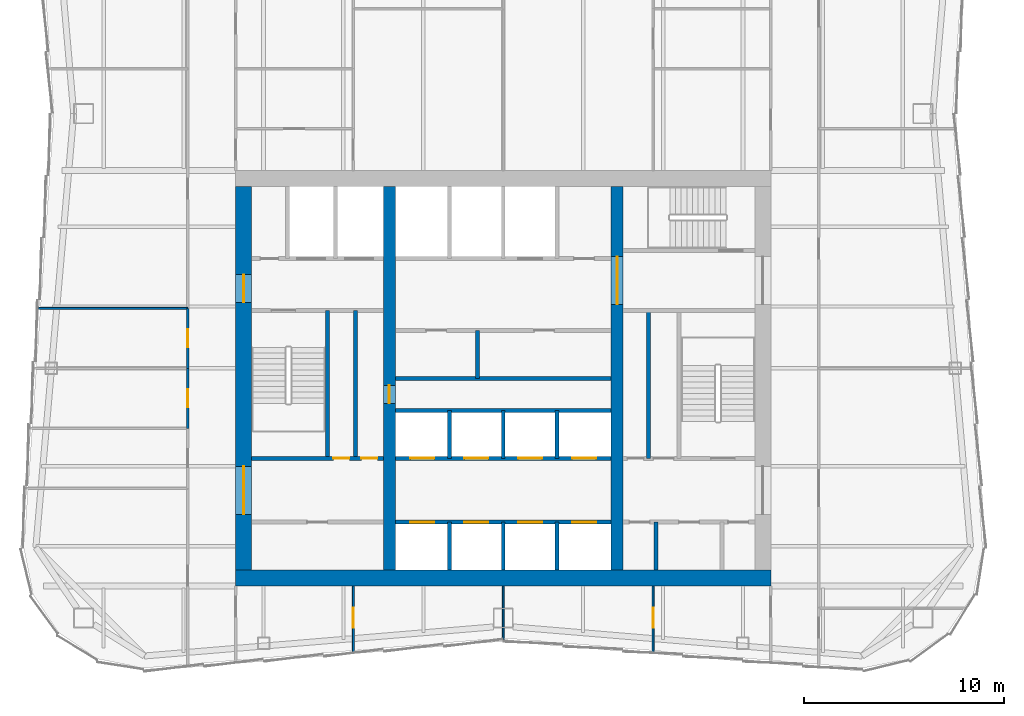
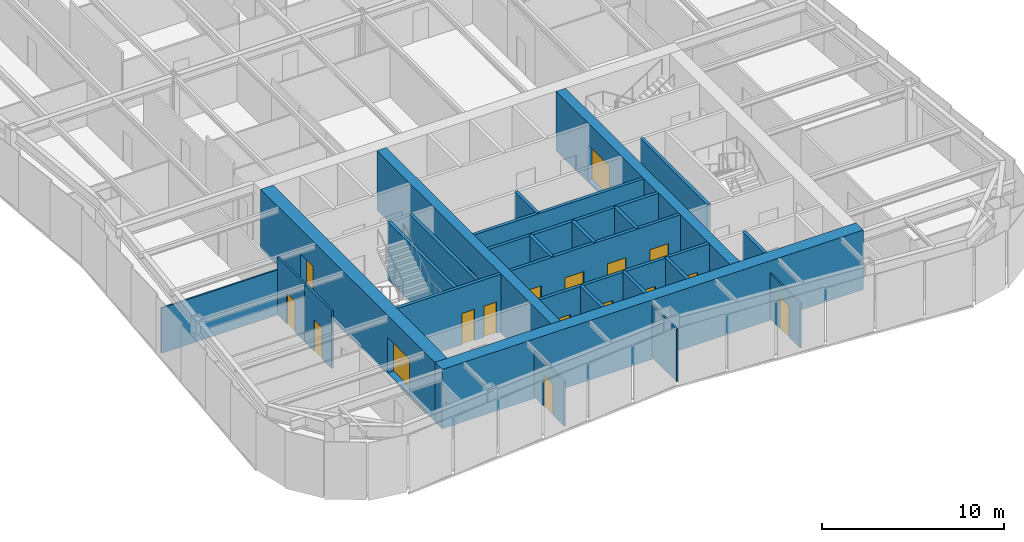
# One storey, part 6 of 11: 26 walls, 18 doors, 18 openings.
"""IFC4 building model written with IfcOpenShell, lengths in metres."""

from ifc_helpers import new_model, si_unit, direction, frame, frame_2d, origin, place, context, subcontext, project, spatial, rectangle, extrude, material, layer, layer_set, type_object, element, fill, save


model = new_model("IFC4")

# Units and contexts
model_context = context("Model", 3, precision=1e-05, world=origin(), true_north=direction((0.0, 1.0)))
body_context = subcontext(model_context, "Body", "Model", "MODEL_VIEW")
ifc_project = project(units=[si_unit("LENGTHUNIT", "METRE"), si_unit("AREAUNIT", "SQUARE_METRE"), si_unit("VOLUMEUNIT", "CUBIC_METRE"), si_unit("PLANEANGLEUNIT", "RADIAN"), si_unit("MASSUNIT", "GRAM", prefix="KILO")], contexts=[model_context])

# Site, building, storey
site_placement = place(None, origin())
site = spatial("IfcSite", under=ifc_project, at=site_placement, CompositionType="ELEMENT")
building_placement = place(site_placement, origin())
building = spatial("IfcBuilding", under=site, at=building_placement, Name="Verdant Reach Tower", CompositionType="ELEMENT")
storey_placement = place(building_placement, frame((0.0, 0.0, 254.0)))
storey = spatial("IfcBuildingStorey", under=building, at=storey_placement, Name="L58", CompositionType="ELEMENT", Elevation=254.0)

# Walls
ifc_material_1 = material(Name="Gypsum board on steel studs", Category="steel")
ifc_layer_1 = layer(ifc_material_1, 0.199951171875)
ifc_layer_set_1 = layer_set([ifc_layer_1], Name="CO-WALL-ROOM")
wall_type_1 = type_object("IfcWallType", Name="CO-WALL-ROOM", PredefinedType="PARTITIONING", material=ifc_layer_set_1)
wall_1_placement = place(storey_placement, frame((-5.39990234375, 28.0, 0.0), z_axis=(0.0, 0.0, 1.0), x_axis=(1.0, 0.0, 0.0)))
element("IfcWall", 1, at=wall_1_placement, inside=storey, type_object=wall_type_1, Name="Core partition, L58", PredefinedType="PARTITIONING", context=body_context, shape_type="SweptSolid", body=[
    extrude(rectangle(XDim=10.7998046875, YDim=0.199951171875, at=frame_2d((5.39990234375, 0.0))), origin(), (0.0, 0.0, 1.0), 3.8701171875),
])
wall_2_placement = place(storey_placement, frame((-7.39990234375, 24.0, 0.0), z_axis=(0.0, 0.0, 1.0), x_axis=(0.0, 1.0, 0.0)))
element("IfcWall", 2, at=wall_2_placement, inside=storey, type_object=wall_type_1, Name="Core partition, L58", PredefinedType="PARTITIONING", context=body_context, shape_type="SweptSolid", body=[
    extrude(rectangle(XDim=7.39990234375, YDim=0.199951171875, at=frame_2d((3.699951171875, 0.0))), origin(), (0.0, 0.0, 1.0), 3.8701171875),
])
wall_3_placement = place(storey_placement, frame((-1.2958984375, 28.0, 0.0), z_axis=(0.0, 0.0, 1.0), x_axis=(0.0, 1.0, 0.0)))
element("IfcWall", 3, at=wall_3_placement, inside=storey, type_object=wall_type_1, Name="Core partition, L58", PredefinedType="PARTITIONING", context=body_context, shape_type="SweptSolid", body=[
    extrude(rectangle(XDim=2.39990234375, YDim=0.199951171875, at=frame_2d((1.199951171875, 0.0))), origin(), (0.0, 0.0, 1.0), 3.8701171875),
])
wall_4_placement = place(storey_placement, frame((7.260009765625, 24.0, 0.0), z_axis=(0.0, 0.0, 1.0), x_axis=(0.0, 1.0, 0.0)))
element("IfcWall", 4, at=wall_4_placement, inside=storey, type_object=wall_type_1, Name="Core partition, L58", PredefinedType="PARTITIONING", context=body_context, shape_type="SweptSolid", body=[
    extrude(rectangle(XDim=7.39990234375, YDim=0.199951171875, at=frame_2d((3.699951171875, 0.0))), origin(), (0.0, 0.0, 1.0), 3.8701171875),
])
wall_5_placement = place(storey_placement, frame((7.64990234375, 18.39990234375, 0.0), z_axis=(0.0, 0.0, 1.0), x_axis=(0.0, 1.0, 0.0)))
element("IfcWall", 5, at=wall_5_placement, inside=storey, type_object=wall_type_1, Name="Core partition, L58", PredefinedType="PARTITIONING", context=body_context, shape_type="SweptSolid", body=[
    extrude(rectangle(XDim=2.400146484375, YDim=0.199951171875, at=frame_2d((1.2001953125, 0.0))), origin(), (0.0, 0.0, 1.0), 3.8701171875),
])

# Wall, openings, doors
ifc_material_2 = material(Name="Concrete C40/50", Category="concrete")
ifc_layer_2 = layer(ifc_material_2, 0.199951171875)
ifc_layer_set_2 = layer_set([ifc_layer_2], Name="CO-WALL-SHAFT")
wall_type_2 = type_object("IfcWallType", Name="CO-WALL-SHAFT", PredefinedType="PARTITIONING", material=ifc_layer_set_2)
wall_6_placement = place(storey_placement, frame((-5.39990234375, 20.800048828125, 0.0), z_axis=(0.0, 0.0, 1.0), x_axis=(1.0, 0.0, 0.0)))
wall_6 = element("IfcWall", 6, at=wall_6_placement, inside=storey, type_object=wall_type_2, Name="Lift shaft wall, L58", PredefinedType="PARTITIONING", context=body_context, shape_type="SweptSolid", body=[
    extrude(rectangle(XDim=10.7998046875, YDim=0.199951171875, at=frame_2d((5.39990234375, 0.0))), origin(), (0.0, 0.0, 1.0), 3.8701171875),
])
opening_1_placement = place(wall_6_placement, frame((0.75, 0.0, 0.0)))
opening_1 = element("IfcOpeningElement", 7, at=opening_1_placement, cuts=wall_6, Name="Opening LD-B1", PredefinedType="OPENING", context=body_context, shape_type="SweptSolid", body=[
    extrude(rectangle(XDim=1.199951171875, YDim=2.199951171875, at=frame_2d((0.60009765625, 1.10009765625))), frame((0.0, 0.10986328125, 0.0), z_axis=(0.0, -1.0, 0.0), x_axis=(1.0, 0.0, 0.0)), (0.0, 0.0, 1.0), 0.219970703125),
])
opening_2_placement = place(wall_6_placement, frame((3.449951171875, 0.0, 0.0)))
opening_2 = element("IfcOpeningElement", 8, at=opening_2_placement, cuts=wall_6, Name="Opening LD-B2", PredefinedType="OPENING", context=body_context, shape_type="SweptSolid", body=[
    extrude(rectangle(XDim=1.199951171875, YDim=2.199951171875, at=frame_2d((0.60009765625, 1.10009765625))), frame((0.0, 0.10986328125, 0.0), z_axis=(0.0, -1.0, 0.0), x_axis=(1.0, 0.0, 0.0)), (0.0, 0.0, 1.0), 0.219970703125),
])
opening_3_placement = place(wall_6_placement, frame((6.14990234375, 0.0, 0.0)))
opening_3 = element("IfcOpeningElement", 9, at=opening_3_placement, cuts=wall_6, Name="Opening LD-B3", PredefinedType="OPENING", context=body_context, shape_type="SweptSolid", body=[
    extrude(rectangle(XDim=1.199951171875, YDim=2.199951171875, at=frame_2d((0.60009765625, 1.10009765625))), frame((0.0, 0.10986328125, 0.0), z_axis=(0.0, -1.0, 0.0), x_axis=(1.0, 0.0, 0.0)), (0.0, 0.0, 1.0), 0.219970703125),
])
opening_4_placement = place(wall_6_placement, frame((8.85009765625, 0.0, 0.0)))
opening_4 = element("IfcOpeningElement", 10, at=opening_4_placement, cuts=wall_6, Name="Opening LD-B4", PredefinedType="OPENING", context=body_context, shape_type="SweptSolid", body=[
    extrude(rectangle(XDim=1.199951171875, YDim=2.199951171875, at=frame_2d((0.60009765625, 1.10009765625))), frame((0.0, 0.10986328125, 0.0), z_axis=(0.0, -1.0, 0.0), x_axis=(1.0, 0.0, 0.0)), (0.0, 0.0, 1.0), 0.219970703125),
])
ifc_material_3 = material(Name="Stainless steel", Category="steel")
door_type_1 = type_object("IfcDoorType", Name="CO-DOOR-LANDING", OperationType="SLIDING_TO_LEFT", PredefinedType="DOOR", material=ifc_material_3)
door_1_placement = place(opening_1_placement, origin())
door_1 = element("IfcDoor", 11, at=door_1_placement, inside=storey, type_object=door_type_1, Name="Landing door B1, L58", OperationType="SLIDING_TO_LEFT", OverallHeight=2.199951171875, OverallWidth=1.199951171875, PredefinedType="DOOR", context=body_context, shape_type="SweptSolid", body=[
    extrude(rectangle(XDim=1.199951171875, YDim=2.199951171875, at=frame_2d((0.60009765625, 1.10009765625))), frame((0.0, 0.02490234375, 0.0), z_axis=(0.0, -1.0, 0.0), x_axis=(1.0, 0.0, 0.0)), (0.0, 0.0, 1.0), 0.050048828125),
])
fill(opening_1, door_1)
door_2_placement = place(opening_2_placement, origin())
door_2 = element("IfcDoor", 12, at=door_2_placement, inside=storey, type_object=door_type_1, Name="Landing door B2, L58", OperationType="SLIDING_TO_LEFT", OverallHeight=2.199951171875, OverallWidth=1.199951171875, PredefinedType="DOOR", context=body_context, shape_type="SweptSolid", body=[
    extrude(rectangle(XDim=1.199951171875, YDim=2.199951171875, at=frame_2d((0.60009765625, 1.10009765625))), frame((0.0, 0.02490234375, 0.0), z_axis=(0.0, -1.0, 0.0), x_axis=(1.0, 0.0, 0.0)), (0.0, 0.0, 1.0), 0.050048828125),
])
fill(opening_2, door_2)
door_3_placement = place(opening_3_placement, origin())
door_3 = element("IfcDoor", 13, at=door_3_placement, inside=storey, type_object=door_type_1, Name="Landing door B3, L58", OperationType="SLIDING_TO_LEFT", OverallHeight=2.199951171875, OverallWidth=1.199951171875, PredefinedType="DOOR", context=body_context, shape_type="SweptSolid", body=[
    extrude(rectangle(XDim=1.199951171875, YDim=2.199951171875, at=frame_2d((0.60009765625, 1.10009765625))), frame((0.0, 0.02490234375, 0.0), z_axis=(0.0, -1.0, 0.0), x_axis=(1.0, 0.0, 0.0)), (0.0, 0.0, 1.0), 0.050048828125),
])
fill(opening_3, door_3)
door_4_placement = place(opening_4_placement, origin())
door_4 = element("IfcDoor", 14, at=door_4_placement, inside=storey, type_object=door_type_1, Name="Landing door B4, L58", OperationType="SLIDING_TO_LEFT", OverallHeight=2.199951171875, OverallWidth=1.199951171875, PredefinedType="DOOR", context=body_context, shape_type="SweptSolid", body=[
    extrude(rectangle(XDim=1.199951171875, YDim=2.199951171875, at=frame_2d((0.60009765625, 1.10009765625))), frame((0.0, 0.02490234375, 0.0), z_axis=(0.0, -1.0, 0.0), x_axis=(1.0, 0.0, 0.0)), (0.0, 0.0, 1.0), 0.050048828125),
])
fill(opening_4, door_4)

wall_7_placement = place(storey_placement, frame((-5.39990234375, 24.0, 0.0), z_axis=(0.0, 0.0, 1.0), x_axis=(1.0, 0.0, 0.0)))
wall_7 = element("IfcWall", 15, at=wall_7_placement, inside=storey, type_object=wall_type_2, Name="Lift shaft wall, L58", PredefinedType="PARTITIONING", context=body_context, shape_type="SweptSolid", body=[
    extrude(rectangle(XDim=10.7998046875, YDim=0.199951171875, at=frame_2d((5.39990234375, 0.0))), origin(), (0.0, 0.0, 1.0), 3.8701171875),
])
opening_5_placement = place(wall_7_placement, frame((0.75, 0.0, 0.0)))
opening_5 = element("IfcOpeningElement", 16, at=opening_5_placement, cuts=wall_7, Name="Opening LD-A5", PredefinedType="OPENING", context=body_context, shape_type="SweptSolid", body=[
    extrude(rectangle(XDim=1.199951171875, YDim=2.199951171875, at=frame_2d((0.60009765625, 1.10009765625))), frame((0.0, 0.10986328125, 0.0), z_axis=(0.0, -1.0, 0.0), x_axis=(1.0, 0.0, 0.0)), (0.0, 0.0, 1.0), 0.219970703125),
])
opening_6_placement = place(wall_7_placement, frame((3.449951171875, 0.0, 0.0)))
opening_6 = element("IfcOpeningElement", 17, at=opening_6_placement, cuts=wall_7, Name="Opening LD-A6", PredefinedType="OPENING", context=body_context, shape_type="SweptSolid", body=[
    extrude(rectangle(XDim=1.199951171875, YDim=2.199951171875, at=frame_2d((0.60009765625, 1.10009765625))), frame((0.0, 0.10986328125, 0.0), z_axis=(0.0, -1.0, 0.0), x_axis=(1.0, 0.0, 0.0)), (0.0, 0.0, 1.0), 0.219970703125),
])
opening_7_placement = place(wall_7_placement, frame((6.14990234375, 0.0, 0.0)))
opening_7 = element("IfcOpeningElement", 18, at=opening_7_placement, cuts=wall_7, Name="Opening LD-A7", PredefinedType="OPENING", context=body_context, shape_type="SweptSolid", body=[
    extrude(rectangle(XDim=1.199951171875, YDim=2.199951171875, at=frame_2d((0.60009765625, 1.10009765625))), frame((0.0, 0.10986328125, 0.0), z_axis=(0.0, -1.0, 0.0), x_axis=(1.0, 0.0, 0.0)), (0.0, 0.0, 1.0), 0.219970703125),
])
opening_8_placement = place(wall_7_placement, frame((8.85009765625, 0.0, 0.0)))
opening_8 = element("IfcOpeningElement", 19, at=opening_8_placement, cuts=wall_7, Name="Opening LD-A8", PredefinedType="OPENING", context=body_context, shape_type="SweptSolid", body=[
    extrude(rectangle(XDim=1.199951171875, YDim=2.199951171875, at=frame_2d((0.60009765625, 1.10009765625))), frame((0.0, 0.10986328125, 0.0), z_axis=(0.0, -1.0, 0.0), x_axis=(1.0, 0.0, 0.0)), (0.0, 0.0, 1.0), 0.219970703125),
])
door_5_placement = place(opening_5_placement, origin())
door_5 = element("IfcDoor", 20, at=door_5_placement, inside=storey, type_object=door_type_1, Name="Landing door A5, L58", OperationType="SLIDING_TO_LEFT", OverallHeight=2.199951171875, OverallWidth=1.199951171875, PredefinedType="DOOR", context=body_context, shape_type="SweptSolid", body=[
    extrude(rectangle(XDim=1.199951171875, YDim=2.199951171875, at=frame_2d((0.60009765625, 1.10009765625))), frame((0.0, 0.02490234375, 0.0), z_axis=(0.0, -1.0, 0.0), x_axis=(1.0, 0.0, 0.0)), (0.0, 0.0, 1.0), 0.050048828125),
])
fill(opening_5, door_5)
door_6_placement = place(opening_6_placement, origin())
door_6 = element("IfcDoor", 21, at=door_6_placement, inside=storey, type_object=door_type_1, Name="Landing door A6, L58", OperationType="SLIDING_TO_LEFT", OverallHeight=2.199951171875, OverallWidth=1.199951171875, PredefinedType="DOOR", context=body_context, shape_type="SweptSolid", body=[
    extrude(rectangle(XDim=1.199951171875, YDim=2.199951171875, at=frame_2d((0.60009765625, 1.10009765625))), frame((0.0, 0.02490234375, 0.0), z_axis=(0.0, -1.0, 0.0), x_axis=(1.0, 0.0, 0.0)), (0.0, 0.0, 1.0), 0.050048828125),
])
fill(opening_6, door_6)
door_7_placement = place(opening_7_placement, origin())
door_7 = element("IfcDoor", 22, at=door_7_placement, inside=storey, type_object=door_type_1, Name="Landing door A7, L58", OperationType="SLIDING_TO_LEFT", OverallHeight=2.199951171875, OverallWidth=1.199951171875, PredefinedType="DOOR", context=body_context, shape_type="SweptSolid", body=[
    extrude(rectangle(XDim=1.199951171875, YDim=2.199951171875, at=frame_2d((0.60009765625, 1.10009765625))), frame((0.0, 0.02490234375, 0.0), z_axis=(0.0, -1.0, 0.0), x_axis=(1.0, 0.0, 0.0)), (0.0, 0.0, 1.0), 0.050048828125),
])
fill(opening_7, door_7)
door_8_placement = place(opening_8_placement, origin())
door_8 = element("IfcDoor", 23, at=door_8_placement, inside=storey, type_object=door_type_1, Name="Landing door A8, L58", OperationType="SLIDING_TO_LEFT", OverallHeight=2.199951171875, OverallWidth=1.199951171875, PredefinedType="DOOR", context=body_context, shape_type="SweptSolid", body=[
    extrude(rectangle(XDim=1.199951171875, YDim=2.199951171875, at=frame_2d((0.60009765625, 1.10009765625))), frame((0.0, 0.02490234375, 0.0), z_axis=(0.0, -1.0, 0.0), x_axis=(1.0, 0.0, 0.0)), (0.0, 0.0, 1.0), 0.050048828125),
])
fill(opening_8, door_8)

# Walls
wall_8_placement = place(storey_placement, frame((-5.39990234375, 26.39990234375, 0.0), z_axis=(0.0, 0.0, 1.0), x_axis=(1.0, 0.0, 0.0)))
element("IfcWall", 24, at=wall_8_placement, inside=storey, type_object=wall_type_2, Name="Lift shaft wall, L58", PredefinedType="PARTITIONING", context=body_context, shape_type="SweptSolid", body=[
    extrude(rectangle(XDim=10.7998046875, YDim=0.199951171875, at=frame_2d((5.39990234375, 0.0))), origin(), (0.0, 0.0, 1.0), 3.8701171875),
])
wall_9_placement = place(storey_placement, frame((-2.699951171875, 18.39990234375, 0.0), z_axis=(0.0, 0.0, 1.0), x_axis=(0.0, 1.0, 0.0)))
element("IfcWall", 25, at=wall_9_placement, inside=storey, type_object=wall_type_2, Name="Lift shaft wall, L58", PredefinedType="PARTITIONING", context=body_context, shape_type="SweptSolid", body=[
    extrude(rectangle(XDim=2.400146484375, YDim=0.199951171875, at=frame_2d((1.2001953125, 0.0))), origin(), (0.0, 0.0, 1.0), 3.8701171875),
])
wall_10_placement = place(storey_placement, frame((-2.699951171875, 24.0, 0.0), z_axis=(0.0, 0.0, 1.0), x_axis=(0.0, 1.0, 0.0)))
element("IfcWall", 26, at=wall_10_placement, inside=storey, type_object=wall_type_2, Name="Lift shaft wall, L58", PredefinedType="PARTITIONING", context=body_context, shape_type="SweptSolid", body=[
    extrude(rectangle(XDim=2.39990234375, YDim=0.199951171875, at=frame_2d((1.199951171875, 0.0))), origin(), (0.0, 0.0, 1.0), 3.8701171875),
])
wall_11_placement = place(storey_placement, frame((0.0, 18.39990234375, 0.0), z_axis=(0.0, 0.0, 1.0), x_axis=(0.0, 1.0, 0.0)))
element("IfcWall", 27, at=wall_11_placement, inside=storey, type_object=wall_type_2, Name="Lift shaft wall, L58", PredefinedType="PARTITIONING", context=body_context, shape_type="SweptSolid", body=[
    extrude(rectangle(XDim=2.400146484375, YDim=0.199951171875, at=frame_2d((1.2001953125, 0.0))), origin(), (0.0, 0.0, 1.0), 3.8701171875),
])
wall_12_placement = place(storey_placement, frame((0.0, 24.0, 0.0), z_axis=(0.0, 0.0, 1.0), x_axis=(0.0, 1.0, 0.0)))
element("IfcWall", 28, at=wall_12_placement, inside=storey, type_object=wall_type_2, Name="Lift shaft wall, L58", PredefinedType="PARTITIONING", context=body_context, shape_type="SweptSolid", body=[
    extrude(rectangle(XDim=2.39990234375, YDim=0.199951171875, at=frame_2d((1.199951171875, 0.0))), origin(), (0.0, 0.0, 1.0), 3.8701171875),
])
wall_13_placement = place(storey_placement, frame((2.699951171875, 18.39990234375, 0.0), z_axis=(0.0, 0.0, 1.0), x_axis=(0.0, 1.0, 0.0)))
element("IfcWall", 29, at=wall_13_placement, inside=storey, type_object=wall_type_2, Name="Lift shaft wall, L58", PredefinedType="PARTITIONING", context=body_context, shape_type="SweptSolid", body=[
    extrude(rectangle(XDim=2.400146484375, YDim=0.199951171875, at=frame_2d((1.2001953125, 0.0))), origin(), (0.0, 0.0, 1.0), 3.8701171875),
])
wall_14_placement = place(storey_placement, frame((2.699951171875, 24.0, 0.0), z_axis=(0.0, 0.0, 1.0), x_axis=(0.0, 1.0, 0.0)))
element("IfcWall", 30, at=wall_14_placement, inside=storey, type_object=wall_type_2, Name="Lift shaft wall, L58", PredefinedType="PARTITIONING", context=body_context, shape_type="SweptSolid", body=[
    extrude(rectangle(XDim=2.39990234375, YDim=0.199951171875, at=frame_2d((1.199951171875, 0.0))), origin(), (0.0, 0.0, 1.0), 3.8701171875),
])

# Wall, openings, doors
ifc_layer_3 = layer(ifc_material_2, 0.199951171875)
ifc_layer_set_3 = layer_set([ifc_layer_3], Name="CO-WALL-STAIR")
wall_type_3 = type_object("IfcWallType", Name="CO-WALL-STAIR", PredefinedType="PARTITIONING", material=ifc_layer_set_3)
wall_15_placement = place(storey_placement, frame((-12.60009765625, 24.0, 0.0), z_axis=(0.0, 0.0, 1.0), x_axis=(1.0, 0.0, 0.0)))
wall_15 = element("IfcWall", 31, at=wall_15_placement, inside=storey, type_object=wall_type_3, Name="Stair enclosure wall, L58", PredefinedType="PARTITIONING", context=body_context, shape_type="SweptSolid", body=[
    extrude(rectangle(XDim=6.60009765625, YDim=0.199951171875, at=frame_2d((3.300048828125, 0.0))), origin(), (0.0, 0.0, 1.0), 3.8701171875),
])
opening_9_placement = place(wall_15_placement, frame((4.10009765625, 0.0, 0.0)))
opening_9 = element("IfcOpeningElement", 32, at=opening_9_placement, cuts=wall_15, Name="Opening CDN", PredefinedType="OPENING", context=body_context, shape_type="SweptSolid", body=[
    extrude(rectangle(XDim=0.800048828125, YDim=2.10009765625, at=frame_2d((0.39990234375, 1.050048828125))), frame((0.0, 0.10986328125, 0.0), z_axis=(0.0, -1.0, 0.0), x_axis=(1.0, 0.0, 0.0)), (0.0, 0.0, 1.0), 0.219970703125),
])
opening_10_placement = place(wall_15_placement, frame((5.5, 0.0, 0.0)))
opening_10 = element("IfcOpeningElement", 33, at=opening_10_placement, cuts=wall_15, Name="Opening CDN", PredefinedType="OPENING", context=body_context, shape_type="SweptSolid", body=[
    extrude(rectangle(XDim=0.800048828125, YDim=2.10009765625, at=frame_2d((0.39990234375, 1.050048828125))), frame((0.0, 0.10986328125, 0.0), z_axis=(0.0, -1.0, 0.0), x_axis=(1.0, 0.0, 0.0)), (0.0, 0.0, 1.0), 0.219970703125),
])
ifc_material_4 = material(Name="Timber", Category="wood")
door_type_2 = type_object("IfcDoorType", Name="CO-DOOR-ROOM-NARROW", OperationType="NOTDEFINED", PredefinedType="DOOR", material=ifc_material_4)
door_9_placement = place(opening_9_placement, origin())
door_9 = element("IfcDoor", 34, at=door_9_placement, inside=storey, type_object=door_type_2, Name="Core room door, L58", OperationType="SINGLE_SWING_LEFT", OverallHeight=2.10009765625, OverallWidth=0.800048828125, PredefinedType="DOOR", context=body_context, shape_type="SweptSolid", body=[
    extrude(rectangle(XDim=0.800048828125, YDim=2.10009765625, at=frame_2d((0.39990234375, 1.050048828125))), frame((0.0, 0.02490234375, 0.0), z_axis=(0.0, -1.0, 0.0), x_axis=(1.0, 0.0, 0.0)), (0.0, 0.0, 1.0), 0.050048828125),
])
fill(opening_9, door_9)
door_10_placement = place(opening_10_placement, origin())
door_10 = element("IfcDoor", 35, at=door_10_placement, inside=storey, type_object=door_type_2, Name="Core room door, L58", OperationType="SINGLE_SWING_RIGHT", OverallHeight=2.10009765625, OverallWidth=0.800048828125, PredefinedType="DOOR", context=body_context, shape_type="SweptSolid", body=[
    extrude(rectangle(XDim=0.800048828125, YDim=2.10009765625, at=frame_2d((0.39990234375, 1.050048828125))), frame((0.0, 0.02490234375, 0.0), z_axis=(0.0, -1.0, 0.0), x_axis=(1.0, 0.0, 0.0)), (0.0, 0.0, 1.0), 0.050048828125),
])
fill(opening_10, door_10)

# Walls
wall_16_placement = place(storey_placement, frame((-8.800048828125, 24.0, 0.0), z_axis=(0.0, 0.0, 1.0), x_axis=(0.0, 1.0, 0.0)))
element("IfcWall", 36, at=wall_16_placement, inside=storey, type_object=wall_type_3, Name="Stair enclosure wall, L58", PredefinedType="PARTITIONING", context=body_context, shape_type="SweptSolid", body=[
    extrude(rectangle(XDim=7.39990234375, YDim=0.199951171875, at=frame_2d((3.699951171875, 0.0))), origin(), (0.0, 0.0, 1.0), 3.8701171875),
])
ifc_layer_4 = layer(ifc_material_1, 0.10009765625)
ifc_layer_set_4 = layer_set([ifc_layer_4], Name="FL-W1 Partition 100")
wall_type_4 = type_object("IfcWallType", Name="FL-W1 Partition 100", PredefinedType="PARTITIONING", material=ifc_layer_set_4)
wall_17_placement = place(storey_placement, frame((-15.800048828125, 31.5, 0.0), z_axis=(0.0, 0.0, 1.0), x_axis=(-1.0, 0.0, 0.0)))
element("IfcWall", 37, at=wall_17_placement, inside=storey, type_object=wall_type_4, Name="Partition 58.37", PredefinedType="PARTITIONING", context=body_context, shape_type="SweptSolid", body=[
    extrude(rectangle(XDim=7.452392578125, YDim=0.10009765625, at=frame_2d((3.72607421875, 0.0))), origin(), (0.0, 0.0, 1.0), 3.0400390625),
])

# Wall, opening, door
wall_18_placement = place(storey_placement, frame((-7.5, 17.60009765625, 0.0), z_axis=(0.0, 0.0, 1.0), x_axis=(0.0, -1.0, 0.0)))
wall_18 = element("IfcWall", 38, at=wall_18_placement, inside=storey, type_object=wall_type_4, Name="Partition 58.45", PredefinedType="PARTITIONING", context=body_context, shape_type="SweptSolid", body=[
    extrude(rectangle(XDim=3.30517578125, YDim=0.10009765625, at=frame_2d((1.652587890625, 0.0))), origin(), (0.0, 0.0, 1.0), 3.0400390625),
])
opening_11_placement = place(wall_18_placement, frame((1.08740234375, 0.0, 0.0)))
opening_11 = element("IfcOpeningElement", 39, at=opening_11_placement, cuts=wall_18, Name="Opening D3", PredefinedType="OPENING", context=body_context, shape_type="SweptSolid", body=[
    extrude(rectangle(XDim=1.0, YDim=2.10009765625, at=frame_2d((0.5, 1.050048828125))), frame((0.0, 0.06005859375, 0.0), z_axis=(0.0, -1.0, 0.0), x_axis=(1.0, 0.0, 0.0)), (0.0, 0.0, 1.0), 0.1201171875),
])
ifc_material_5 = material(Name="Painted timber door leaf", Category="wood")
door_type_3 = type_object("IfcDoorType", Name="FL-D3 Door 1000x2100", OperationType="NOTDEFINED", PredefinedType="DOOR", material=ifc_material_5)
door_11_placement = place(opening_11_placement, origin())
door_11 = element("IfcDoor", 40, at=door_11_placement, inside=storey, type_object=door_type_3, Name="Door 58-027", OperationType="SINGLE_SWING_LEFT", OverallHeight=2.10009765625, OverallWidth=1.0, PredefinedType="DOOR", context=body_context, shape_type="SweptSolid", body=[
    extrude(rectangle(XDim=1.0, YDim=2.10009765625, at=frame_2d((0.5, 1.050048828125))), frame((0.0, 0.02490234375, 0.0), z_axis=(0.0, -1.0, 0.0), x_axis=(1.0, 0.0, 0.0)), (0.0, 0.0, 1.0), 0.050048828125),
])
fill(opening_11, door_11)

# Wall
wall_19_placement = place(storey_placement, frame((0.0, 14.919921875, 0.0), z_axis=(0.0, 0.0, 1.0), x_axis=(0.0, 1.0, 0.0)))
element("IfcWall", 41, at=wall_19_placement, inside=storey, type_object=wall_type_4, Name="Partition 58.46", PredefinedType="PARTITIONING", context=body_context, shape_type="SweptSolid", body=[
    extrude(rectangle(XDim=2.68017578125, YDim=0.10009765625, at=frame_2d((1.340087890625, 0.0))), origin(), (0.0, 0.0, 1.0), 3.5400390625),
])

# Wall, opening, door
wall_20_placement = place(storey_placement, frame((7.5, 14.294921875, 0.0), z_axis=(0.0, 0.0, 1.0), x_axis=(0.0, 1.0, 0.0)))
wall_20 = element("IfcWall", 42, at=wall_20_placement, inside=storey, type_object=wall_type_4, Name="Partition 58.47", PredefinedType="PARTITIONING", context=body_context, shape_type="SweptSolid", body=[
    extrude(rectangle(XDim=3.30517578125, YDim=0.10009765625, at=frame_2d((1.652587890625, 0.0))), origin(), (0.0, 0.0, 1.0), 3.0400390625),
])
opening_12_placement = place(wall_20_placement, frame((1.217529296875, 0.0, 0.0)))
opening_12 = element("IfcOpeningElement", 43, at=opening_12_placement, cuts=wall_20, Name="Opening D3", PredefinedType="OPENING", context=body_context, shape_type="SweptSolid", body=[
    extrude(rectangle(XDim=1.0, YDim=2.10009765625, at=frame_2d((0.5, 1.050048828125))), frame((0.0, 0.06005859375, 0.0), z_axis=(0.0, -1.0, 0.0), x_axis=(1.0, 0.0, 0.0)), (0.0, 0.0, 1.0), 0.1201171875),
])
door_12_placement = place(opening_12_placement, origin())
door_12 = element("IfcDoor", 44, at=door_12_placement, inside=storey, type_object=door_type_3, Name="Door 58-028", OperationType="SINGLE_SWING_RIGHT", OverallHeight=2.10009765625, OverallWidth=1.0, PredefinedType="DOOR", context=body_context, shape_type="SweptSolid", body=[
    extrude(rectangle(XDim=1.0, YDim=2.10009765625, at=frame_2d((0.5, 1.050048828125))), frame((0.0, 0.02490234375, 0.0), z_axis=(0.0, -1.0, 0.0), x_axis=(1.0, 0.0, 0.0)), (0.0, 0.0, 1.0), 0.050048828125),
])
fill(opening_12, door_12)

ifc_material_6 = material(Name="Gypsum board on steel studs, fire rated", Category="steel")
ifc_layer_5 = layer(ifc_material_6, 0.125)
ifc_layer_set_5 = layer_set([ifc_layer_5], Name="FL-W2 Corridor wall 125")
wall_type_5 = type_object("IfcWallType", Name="FL-W2 Corridor wall 125", PredefinedType="PARTITIONING", material=ifc_layer_set_5)
wall_21_placement = place(storey_placement, frame((-15.800048828125, 25.5, 0.0), z_axis=(0.0, 0.0, 1.0), x_axis=(0.0, 1.0, 0.0)))
wall_21 = element("IfcWall", 45, at=wall_21_placement, inside=storey, type_object=wall_type_5, Name="Partition 58.03", PredefinedType="PARTITIONING", context=body_context, shape_type="SweptSolid", body=[
    extrude(rectangle(XDim=3.0, YDim=0.125, at=frame_2d((1.5, 0.0))), origin(), (0.0, 0.0, 1.0), 3.8701171875),
])
opening_13_placement = place(wall_21_placement, frame((1.050048828125, 0.0, 0.0)))
opening_13 = element("IfcOpeningElement", 46, at=opening_13_placement, cuts=wall_21, Name="Opening D1", PredefinedType="OPENING", context=body_context, shape_type="SweptSolid", body=[
    extrude(rectangle(XDim=0.89990234375, YDim=2.10009765625, at=frame_2d((0.449951171875, 1.050048828125))), frame((0.0, 0.072509765625, 0.0), z_axis=(0.0, -1.0, 0.0), x_axis=(1.0, 0.0, 0.0)), (0.0, 0.0, 1.0), 0.14501953125),
])
door_type_4 = type_object("IfcDoorType", Name="FL-D1 Door 900x2100", OperationType="NOTDEFINED", PredefinedType="DOOR", material=ifc_material_5)
door_13_placement = place(opening_13_placement, origin())
door_13 = element("IfcDoor", 47, at=door_13_placement, inside=storey, type_object=door_type_4, Name="Door 58-003", OperationType="SINGLE_SWING_LEFT", OverallHeight=2.10009765625, OverallWidth=0.89990234375, PredefinedType="DOOR", context=body_context, shape_type="SweptSolid", body=[
    extrude(rectangle(XDim=0.89990234375, YDim=2.10009765625, at=frame_2d((0.449951171875, 1.050048828125))), frame((0.0, 0.02490234375, 0.0), z_axis=(0.0, -1.0, 0.0), x_axis=(1.0, 0.0, 0.0)), (0.0, 0.0, 1.0), 0.050048828125),
])
fill(opening_13, door_13)

wall_22_placement = place(storey_placement, frame((-15.800048828125, 28.5, 0.0), z_axis=(0.0, 0.0, 1.0), x_axis=(0.0, 1.0, 0.0)))
wall_22 = element("IfcWall", 48, at=wall_22_placement, inside=storey, type_object=wall_type_5, Name="Partition 58.04", PredefinedType="PARTITIONING", context=body_context, shape_type="SweptSolid", body=[
    extrude(rectangle(XDim=3.0, YDim=0.125, at=frame_2d((1.5, 0.0))), origin(), (0.0, 0.0, 1.0), 3.8701171875),
])
opening_14_placement = place(wall_22_placement, frame((1.050048828125, 0.0, 0.0)))
opening_14 = element("IfcOpeningElement", 49, at=opening_14_placement, cuts=wall_22, Name="Opening D1", PredefinedType="OPENING", context=body_context, shape_type="SweptSolid", body=[
    extrude(rectangle(XDim=0.89990234375, YDim=2.10009765625, at=frame_2d((0.449951171875, 1.050048828125))), frame((0.0, 0.072509765625, 0.0), z_axis=(0.0, -1.0, 0.0), x_axis=(1.0, 0.0, 0.0)), (0.0, 0.0, 1.0), 0.14501953125),
])
door_14_placement = place(opening_14_placement, origin())
door_14 = element("IfcDoor", 50, at=door_14_placement, inside=storey, type_object=door_type_4, Name="Door 58-004", OperationType="SINGLE_SWING_RIGHT", OverallHeight=2.10009765625, OverallWidth=0.89990234375, PredefinedType="DOOR", context=body_context, shape_type="SweptSolid", body=[
    extrude(rectangle(XDim=0.89990234375, YDim=2.10009765625, at=frame_2d((0.449951171875, 1.050048828125))), frame((0.0, 0.02490234375, 0.0), z_axis=(0.0, -1.0, 0.0), x_axis=(1.0, 0.0, 0.0)), (0.0, 0.0, 1.0), 0.050048828125),
])
fill(opening_14, door_14)

ifc_material_7 = material(Name="Concrete C70/85", Category="concrete")
ifc_layer_6 = layer(ifc_material_7, 0.60009765625)
ifc_layer_set_6 = layer_set([ifc_layer_6], Name="ST-CORE-WALL-600")
wall_type_6 = type_object("IfcWallType", Name="ST-CORE-WALL-600", PredefinedType="SHEAR", material=ifc_layer_set_6)
wall_23_placement = place(storey_placement, frame((-5.699951171875, 18.39990234375, -0.1298828125), z_axis=(0.0, 0.0, 1.0), x_axis=(0.0, 1.0, 0.0)))
wall_23 = element("IfcWall", 51, at=wall_23_placement, inside=storey, type_object=wall_type_6, Name="Core wall XW, L58", PredefinedType="SHEAR", context=body_context, shape_type="SweptSolid", body=[
    extrude(rectangle(XDim=19.2001953125, YDim=0.60009765625, at=frame_2d((9.60009765625, 0.0))), origin(), (0.0, 0.0, 1.0), 4.0),
])
opening_15_placement = place(wall_23_placement, frame((8.35009765625, 0.0, 0.1298828125)))
opening_15 = element("IfcOpeningElement", 52, at=opening_15_placement, cuts=wall_23, Name="Opening RD", PredefinedType="OPENING", context=body_context, shape_type="SweptSolid", body=[
    extrude(rectangle(XDim=0.89990234375, YDim=2.10009765625, at=frame_2d((0.449951171875, 1.050048828125))), frame((0.0, 0.31005859375, 0.0), z_axis=(0.0, -1.0, 0.0), x_axis=(1.0, 0.0, 0.0)), (0.0, 0.0, 1.0), 0.6201171875),
])
ifc_material_8 = material(Name="Steel", Category="steel")
door_type_5 = type_object("IfcDoorType", Name="CO-DOOR-RISER", OperationType="NOTDEFINED", PredefinedType="DOOR", material=ifc_material_8)
door_15_placement = place(opening_15_placement, origin())
door_15 = element("IfcDoor", 53, at=door_15_placement, inside=storey, type_object=door_type_5, Name="Riser door, L58", OperationType="SINGLE_SWING_RIGHT", OverallHeight=2.10009765625, OverallWidth=0.89990234375, PredefinedType="DOOR", context=body_context, shape_type="SweptSolid", body=[
    extrude(rectangle(XDim=0.89990234375, YDim=2.10009765625, at=frame_2d((0.449951171875, 1.050048828125))), frame((0.0, 0.02490234375, 0.0), z_axis=(0.0, -1.0, 0.0), x_axis=(1.0, 0.0, 0.0)), (0.0, 0.0, 1.0), 0.050048828125),
])
fill(opening_15, door_15)

wall_24_placement = place(storey_placement, frame((5.699951171875, 18.39990234375, -0.1298828125), z_axis=(0.0, 0.0, 1.0), x_axis=(0.0, 1.0, 0.0)))
wall_24 = element("IfcWall", 54, at=wall_24_placement, inside=storey, type_object=wall_type_6, Name="Core wall XE, L58", PredefinedType="SHEAR", context=body_context, shape_type="SweptSolid", body=[
    extrude(rectangle(XDim=19.2001953125, YDim=0.60009765625, at=frame_2d((9.60009765625, 0.0))), origin(), (0.0, 0.0, 1.0), 4.0),
])
opening_16_placement = place(wall_24_placement, frame((13.300048828125, 0.0, 0.1298828125)))
opening_16 = element("IfcOpeningElement", 55, at=opening_16_placement, cuts=wall_24, Name="Opening LB", PredefinedType="OPENING", context=body_context, shape_type="SweptSolid", body=[
    extrude(rectangle(XDim=2.39990234375, YDim=2.39990234375, at=frame_2d((1.199951171875, 1.199951171875))), frame((0.0, 0.31005859375, 0.0), z_axis=(0.0, -1.0, 0.0), x_axis=(1.0, 0.0, 0.0)), (0.0, 0.0, 1.0), 0.6201171875),
])
ifc_material_9 = material(Name="Glass and steel", Category="steel")
door_type_6 = type_object("IfcDoorType", Name="CO-DOOR-LOBBY", OperationType="DOUBLE_DOOR_SINGLE_SWING", PredefinedType="DOOR", material=ifc_material_9)
door_16_placement = place(opening_16_placement, origin())
door_16 = element("IfcDoor", 56, at=door_16_placement, inside=storey, type_object=door_type_6, Name="Core entrance door, L58", OperationType="DOUBLE_DOOR_SINGLE_SWING", OverallHeight=2.39990234375, OverallWidth=2.39990234375, PredefinedType="DOOR", context=body_context, shape_type="SweptSolid", body=[
    extrude(rectangle(XDim=2.39990234375, YDim=2.39990234375, at=frame_2d((1.199951171875, 1.199951171875))), frame((0.0, 0.02490234375, 0.0), z_axis=(0.0, -1.0, 0.0), x_axis=(1.0, 0.0, 0.0)), (0.0, 0.0, 1.0), 0.050048828125),
])
fill(opening_16, door_16)

# Wall
ifc_layer_7 = layer(ifc_material_7, 0.800048828125)
ifc_layer_set_7 = layer_set([ifc_layer_7], Name="ST-CORE-WALL-800")
wall_type_7 = type_object("IfcWallType", Name="ST-CORE-WALL-800", PredefinedType="SHEAR", material=ifc_layer_set_7)
wall_25_placement = place(storey_placement, frame((-13.39990234375, 18.0, -0.1298828125), z_axis=(0.0, 0.0, 1.0), x_axis=(1.0, 0.0, 0.0)))
element("IfcWall", 57, at=wall_25_placement, inside=storey, type_object=wall_type_7, Name="Core wall S, L58", PredefinedType="SHEAR", context=body_context, shape_type="SweptSolid", body=[
    extrude(rectangle(XDim=26.7998046875, YDim=0.800048828125, at=frame_2d((13.39990234375, 0.0))), origin(), (0.0, 0.0, 1.0), 4.0),
])

# Wall, openings, doors
wall_26_placement = place(storey_placement, frame((-13.0, 18.39990234375, -0.1298828125), z_axis=(0.0, 0.0, 1.0), x_axis=(0.0, 1.0, 0.0)))
wall_26 = element("IfcWall", 58, at=wall_26_placement, inside=storey, type_object=wall_type_7, Name="Core wall W, L58", PredefinedType="SHEAR", context=body_context, shape_type="SweptSolid", body=[
    extrude(rectangle(XDim=19.2001953125, YDim=0.800048828125, at=frame_2d((9.60009765625, 0.0))), origin(), (0.0, 0.0, 1.0), 4.0),
])
opening_17_placement = place(wall_26_placement, frame((2.800048828125, 0.0, 0.1298828125)))
opening_17 = element("IfcOpeningElement", 59, at=opening_17_placement, cuts=wall_26, Name="Opening LB", PredefinedType="OPENING", context=body_context, shape_type="SweptSolid", body=[
    extrude(rectangle(XDim=2.39990234375, YDim=2.39990234375, at=frame_2d((1.199951171875, 1.199951171875))), frame((0.0, 0.409912109375, 0.0), z_axis=(0.0, -1.0, 0.0), x_axis=(1.0, 0.0, 0.0)), (0.0, 0.0, 1.0), 0.820068359375),
])
opening_18_placement = place(wall_26_placement, frame((13.39990234375, 0.0, 0.1298828125)))
opening_18 = element("IfcOpeningElement", 60, at=opening_18_placement, cuts=wall_26, Name="Opening FL", PredefinedType="OPENING", context=body_context, shape_type="SweptSolid", body=[
    extrude(rectangle(XDim=1.39990234375, YDim=2.199951171875, at=frame_2d((0.699951171875, 1.10009765625))), frame((0.0, 0.409912109375, 0.0), z_axis=(0.0, -1.0, 0.0), x_axis=(1.0, 0.0, 0.0)), (0.0, 0.0, 1.0), 0.820068359375),
])
door_type_7 = type_object("IfcDoorType", Name="CO-DOOR-FFL", OperationType="NOTDEFINED", PredefinedType="DOOR", material=ifc_material_8)
door_17_placement = place(opening_18_placement, origin())
door_17 = element("IfcDoor", 61, at=door_17_placement, inside=storey, type_object=door_type_7, Name="Core entrance door, L58", OperationType="SINGLE_SWING_RIGHT", OverallHeight=2.199951171875, OverallWidth=1.39990234375, PredefinedType="DOOR", context=body_context, shape_type="SweptSolid", body=[
    extrude(rectangle(XDim=1.39990234375, YDim=2.199951171875, at=frame_2d((0.699951171875, 1.10009765625))), frame((0.0, 0.02490234375, 0.0), z_axis=(0.0, -1.0, 0.0), x_axis=(1.0, 0.0, 0.0)), (0.0, 0.0, 1.0), 0.050048828125),
])
fill(opening_18, door_17)
door_18_placement = place(opening_17_placement, origin())
door_18 = element("IfcDoor", 62, at=door_18_placement, inside=storey, type_object=door_type_6, Name="Core entrance door, L58", OperationType="DOUBLE_DOOR_SINGLE_SWING", OverallHeight=2.39990234375, OverallWidth=2.39990234375, PredefinedType="DOOR", context=body_context, shape_type="SweptSolid", body=[
    extrude(rectangle(XDim=2.39990234375, YDim=2.39990234375, at=frame_2d((1.199951171875, 1.199951171875))), frame((0.0, 0.02490234375, 0.0), z_axis=(0.0, -1.0, 0.0), x_axis=(1.0, 0.0, 0.0)), (0.0, 0.0, 1.0), 0.050048828125),
])
fill(opening_17, door_18)

save(model, "model.ifc")
